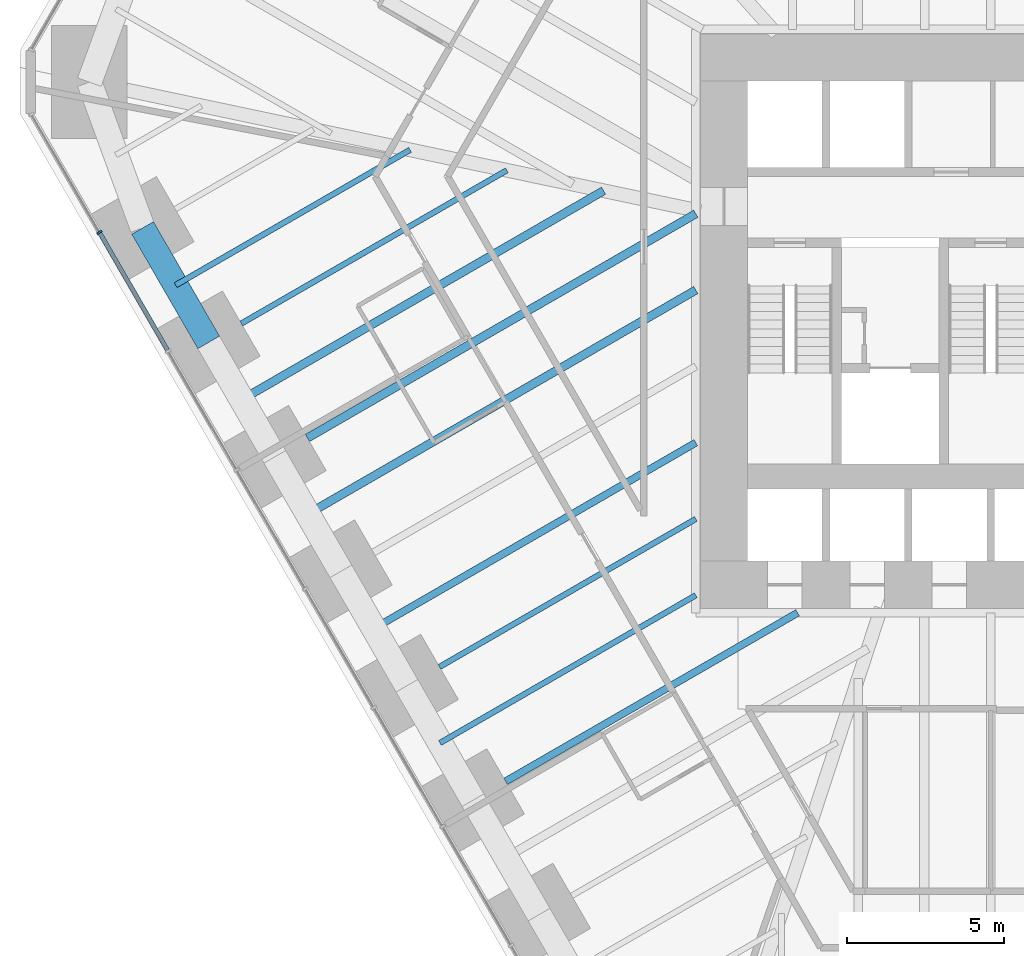
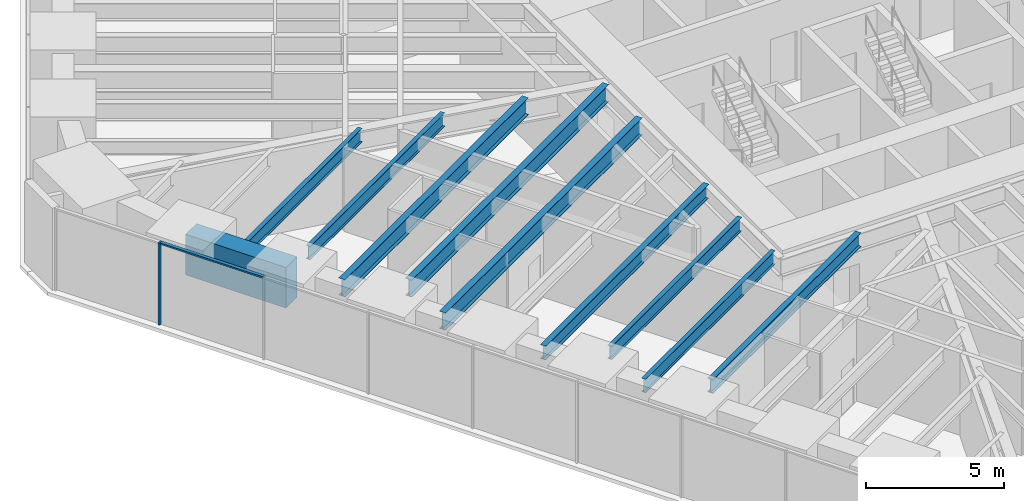
# One storey, part 3 of 17: 10 beams, 2 members, 1 element without a shape of its own.
"""IFC4 building model written with IfcOpenShell, lengths in metres."""

from ifc_helpers import new_model, si_unit, direction, frame, origin, origin_2d, place, context, subcontext, project, spatial, rectangle, i_section, extrude, material, material_profile, profile_set, type_object, element, aggregate, save


model = new_model("IFC4")

# Units and contexts
model_context = context("Model", 3, precision=1e-05, world=origin(), true_north=direction((0.0, 1.0)))
body_context = subcontext(model_context, "Body", "Model", "MODEL_VIEW")
ifc_project = project(units=[si_unit("LENGTHUNIT", "METRE"), si_unit("AREAUNIT", "SQUARE_METRE"), si_unit("VOLUMEUNIT", "CUBIC_METRE"), si_unit("PLANEANGLEUNIT", "RADIAN"), si_unit("MASSUNIT", "GRAM", prefix="KILO")], contexts=[model_context])

# Site, building, storey
site_placement = place(None, origin())
site = spatial("IfcSite", under=ifc_project, at=site_placement, CompositionType="ELEMENT")
building_placement = place(site_placement, origin())
building = spatial("IfcBuilding", under=site, at=building_placement, Name="Sandreach Pilgrim Tower", CompositionType="ELEMENT")
storey_placement = place(building_placement, frame((0.0, 0.0, 49.60009765625)))
storey = spatial("IfcBuildingStorey", under=building, at=storey_placement, Name="L11", CompositionType="ELEMENT", Elevation=49.60009765625)

# Curtain wall, members
ifc_material_1 = material(Name="Aluminium framed curtain wall", Category="aluminium")
curtain_wall_type = type_object("IfcCurtainWallType", Name="Hostel tower curtain wall", PredefinedType="NOTDEFINED", material=ifc_material_1)
curtain_wall_placement = place(storey_placement, origin())
curtain_wall = element("IfcCurtainWall", 1, at=curtain_wall_placement, inside=storey, type_object=curtain_wall_type, Name="CW-1 L11 SW", PredefinedType="NOTDEFINED")
ifc_material_2 = material(Name="Aluminium extrusion", Category="aluminium")
ifc_material_profile_1 = material_profile(ifc_material_2, rectangle(XDim=0.06494140625, YDim=0.179931640625, at=origin_2d()), Name="CW-1M 65X180")
ifc_profile_set_1 = profile_set([ifc_material_profile_1], Name="Aluminium extrusion")
member_type_1 = type_object("IfcMemberType", Name="CW-1 mullion", PredefinedType="MULLION", material=ifc_profile_set_1)
member_1_placement = place(storey_placement, frame((-28.390380859375, 1.2763671875, 0.0), z_axis=(0.0, 0.0, 1.0), x_axis=(-0.5, 0.866025403784, 0.0)))
member_1 = element("IfcMember", 2, at=member_1_placement, type_object=member_type_1, Name="CW-1 mullion 9", PredefinedType="MULLION", context=body_context, shape_type="SweptSolid", body=[
    extrude(rectangle(XDim=0.06494140625, YDim=0.179931640625, at=origin_2d()), origin(), (0.0, 0.0, 1.0), 3.639892578125),
])
ifc_material_3 = material(Name="Aluminium extrusion", Category="aluminium")
ifc_material_profile_2 = material_profile(ifc_material_3, rectangle(XDim=0.139892578125, YDim=0.070068359375, at=origin_2d()), Name="CW-1T 140X70")
ifc_profile_set_2 = profile_set([ifc_material_profile_2], Name="Aluminium extrusion")
member_type_2 = type_object("IfcMemberType", Name="CW-1 transom", PredefinedType="USERDEFINED", material=ifc_profile_set_2)
member_2_placement = place(storey_placement, frame((-26.220947265625, -2.4814453125, 3.60498046875), z_axis=(-0.500016891966, 0.866015650984, 0.0), x_axis=(-0.866015650984, -0.500016891966, 0.0)))
member_2 = element("IfcMember", 3, at=member_2_placement, type_object=member_type_2, Name="CW-1 head transom 8", ObjectType="TRANSOM", PredefinedType="USERDEFINED", context=body_context, shape_type="SweptSolid", body=[
    extrude(rectangle(XDim=0.139892578125, YDim=0.070068359375, at=origin_2d()), origin(), (0.0, 0.0, 1.0), 4.306396484375),
])
aggregate(curtain_wall, [member_1, member_2])

# Beams
ifc_material_4 = material(Name="Steel ASTM A992 Grade 50", Category="steel")
ifc_material_profile_3 = material_profile(ifc_material_4, i_section(OverallWidth=0.1787109375, OverallDepth=0.60205078125, WebThickness=0.010986328125, FlangeThickness=0.014892578125, at=origin_2d()), Name="W24X62")
ifc_profile_set_3 = profile_set([ifc_material_profile_3], Name="Steel ASTM A992 Grade 50")
beam_type_1 = type_object("IfcBeamType", Name="Floor beam W24X62", PredefinedType="BEAM", material=ifc_profile_set_3)
beam_1_placement = place(storey_placement, frame((-17.557373046875, -12.5673828125, 3.3388671875), z_axis=(0.866020839647, 0.500007905235, 0.0), x_axis=(-0.500007905235, 0.866020839647, 0.0)))
element("IfcBeam", 4, at=beam_1_placement, inside=storey, type_object=beam_type_1, Name="BM L11 F30", PredefinedType="BEAM", context=body_context, shape_type="SweptSolid", body=[
    extrude(i_section(OverallWidth=0.1787109375, OverallDepth=0.60205078125, WebThickness=0.010986328125, FlangeThickness=0.014892578125, at=origin_2d()), origin(), (0.0, 0.0, 1.0), 9.427001953125),
])
beam_2_placement = place(storey_placement, frame((-23.8720703125, -1.629638671875, 3.3388671875), z_axis=(0.866025751498, 0.499999397742, 0.0), x_axis=(-0.499999397742, 0.866025751498, 0.0)))
element("IfcBeam", 5, at=beam_2_placement, inside=storey, type_object=beam_type_1, Name="BM L11 F33", PredefinedType="BEAM", context=body_context, shape_type="SweptSolid", body=[
    extrude(i_section(OverallWidth=0.1787109375, OverallDepth=0.60205078125, WebThickness=0.010986328125, FlangeThickness=0.014892578125, at=origin_2d()), origin(), (0.0, 0.0, 1.0), 9.767578125),
])
beam_3_placement = place(storey_placement, frame((-17.5439453125, -14.990234375, 3.3388671875), z_axis=(0.86602359238, 0.500003137431, 0.0), x_axis=(-0.500003137431, 0.86602359238, 0.0)))
element("IfcBeam", 6, at=beam_3_placement, inside=storey, type_object=beam_type_1, Name="BM L11 FM29", PredefinedType="BEAM", context=body_context, shape_type="SweptSolid", body=[
    extrude(i_section(OverallWidth=0.1787109375, OverallDepth=0.60205078125, WebThickness=0.010986328125, FlangeThickness=0.014892578125, at=origin_2d()), origin(), (0.0, 0.0, 1.0), 9.41162109375),
])
beam_4_placement = place(storey_placement, frame((-25.9638671875, -0.40673828125, 3.3388671875), z_axis=(0.866020100198, 0.500009185969, 0.0), x_axis=(-0.500009185969, 0.866020100198, 0.0)))
element("IfcBeam", 7, at=beam_4_placement, inside=storey, type_object=beam_type_1, Name="BM L11 FM33", PredefinedType="BEAM", context=body_context, shape_type="SweptSolid", body=[
    extrude(i_section(OverallWidth=0.1787109375, OverallDepth=0.60205078125, WebThickness=0.010986328125, FlangeThickness=0.014892578125, at=origin_2d()), origin(), (0.0, 0.0, 1.0), 8.623291015625),
])
ifc_material_5 = material(Name="Steel ASTM A992 Grade 50", Category="steel")
ifc_material_profile_4 = material_profile(ifc_material_5, i_section(OverallWidth=0.23046875, OverallDepth=0.6171875, WebThickness=0.01318359375, FlangeThickness=0.022216796875, at=origin_2d()), Name="W24X94")
ifc_profile_set_4 = profile_set([ifc_material_profile_4], Name="Steel ASTM A992 Grade 50")
beam_type_2 = type_object("IfcBeamType", Name="Floor beam W24X94", PredefinedType="BEAM", material=ifc_profile_set_4)
beam_5_placement = place(storey_placement, frame((-15.452392578125, -16.213134765625, 3.331298828125), z_axis=(0.866028486751, 0.499994660107, 0.0), x_axis=(-0.499994660107, 0.866028486751, 0.0)))
element("IfcBeam", 8, at=beam_5_placement, inside=storey, type_object=beam_type_2, Name="BM L11 F29", PredefinedType="BEAM", context=body_context, shape_type="SweptSolid", body=[
    extrude(i_section(OverallWidth=0.23046875, OverallDepth=0.6171875, WebThickness=0.01318359375, FlangeThickness=0.022216796875, at=origin_2d()), origin(), (0.0, 0.0, 1.0), 10.73974609375),
])
beam_6_placement = place(storey_placement, frame((-19.64892578125, -11.34423828125, 3.331298828125), z_axis=(0.866032123691, 0.4999883606, 0.0), x_axis=(-0.4999883606, 0.866032123691, 0.0)))
element("IfcBeam", 9, at=beam_6_placement, inside=storey, type_object=beam_type_2, Name="BM L11 FM30", PredefinedType="BEAM", context=body_context, shape_type="SweptSolid", body=[
    extrude(i_section(OverallWidth=0.23046875, OverallDepth=0.6171875, WebThickness=0.01318359375, FlangeThickness=0.022216796875, at=origin_2d()), origin(), (0.0, 0.0, 1.0), 11.842041015625),
])
ifc_material_6 = material(Name="Steel ASTM A992 Grade 50", Category="steel")
ifc_material_profile_5 = material_profile(ifc_material_6, i_section(OverallWidth=0.2666015625, OverallDepth=0.761962890625, WebThickness=0.014404296875, FlangeThickness=0.021484375, at=origin_2d()), Name="W30X116")
ifc_profile_set_5 = profile_set([ifc_material_profile_5], Name="Steel ASTM A992 Grade 50")
beam_type_3 = type_object("IfcBeamType", Name="Floor beam W30X116", PredefinedType="BEAM", material=ifc_profile_set_5)
beam_7_placement = place(storey_placement, frame((-21.76708984375, -5.275390625, 3.2587890625), z_axis=(0.866024247282, 0.500002003116, 0.0), x_axis=(-0.500002003116, 0.866024247282, 0.0)))
element("IfcBeam", 10, at=beam_7_placement, inside=storey, type_object=beam_type_3, Name="BM L11 F32", PredefinedType="BEAM", context=body_context, shape_type="SweptSolid", body=[
    extrude(i_section(OverallWidth=0.2666015625, OverallDepth=0.761962890625, WebThickness=0.014404296875, FlangeThickness=0.021484375, at=origin_2d()), origin(), (0.0, 0.0, 1.0), 14.2880859375),
])
beam_8_placement = place(storey_placement, frame((-21.75390625, -7.698486328125, 3.2587890625), z_axis=(0.866022935671, 0.500004274874, 0.0), x_axis=(-0.500004274874, 0.866022935671, 0.0)))
element("IfcBeam", 11, at=beam_8_placement, inside=storey, type_object=beam_type_3, Name="BM L11 FM31", PredefinedType="BEAM", context=body_context, shape_type="SweptSolid", body=[
    extrude(i_section(OverallWidth=0.2666015625, OverallDepth=0.761962890625, WebThickness=0.014404296875, FlangeThickness=0.021484375, at=origin_2d()), origin(), (0.0, 0.0, 1.0), 14.27294921875),
])
beam_9_placement = place(storey_placement, frame((-23.85888671875, -4.052490234375, 3.2587890625), z_axis=(0.866029213426, 0.499993401449, 0.0), x_axis=(-0.499993401449, 0.866029213426, 0.0)))
element("IfcBeam", 12, at=beam_9_placement, inside=storey, type_object=beam_type_3, Name="BM L11 FM32", PredefinedType="BEAM", context=body_context, shape_type="SweptSolid", body=[
    extrude(i_section(OverallWidth=0.2666015625, OverallDepth=0.761962890625, WebThickness=0.014404296875, FlangeThickness=0.021484375, at=origin_2d()), origin(), (0.0, 0.0, 1.0), 13.311767578125),
])
ifc_material_7 = material(Name="Concrete 10000 psi", Category="concrete")
ifc_material_profile_6 = material_profile(ifc_material_7, rectangle(XDim=0.800048828125, YDim=1.800048828125, at=origin_2d()), Name="RC800X1800")
ifc_profile_set_6 = profile_set([ifc_material_profile_6], Name="Concrete 10000 psi")
beam_type_4 = type_object("IfcBeamType", Name="Spandrel beam RC800X1800", PredefinedType="SPANDREL", material=ifc_profile_set_6)
beam_10_placement = place(storey_placement, frame((-24.911376953125, -2.229736328125, 2.739990234375), z_axis=(-0.499993523031, 0.866029143232, 0.0), x_axis=(-0.866029143232, -0.499993523031, 0.0)))
element("IfcBeam", 13, at=beam_10_placement, inside=storey, type_object=beam_type_4, Name="BM L11 SP33", PredefinedType="SPANDREL", context=body_context, shape_type="SweptSolid", body=[
    extrude(rectangle(XDim=0.800048828125, YDim=1.800048828125, at=origin_2d()), origin(), (0.0, 0.0, 1.0), 4.2099609375),
])

save(model, "model.ifc")
